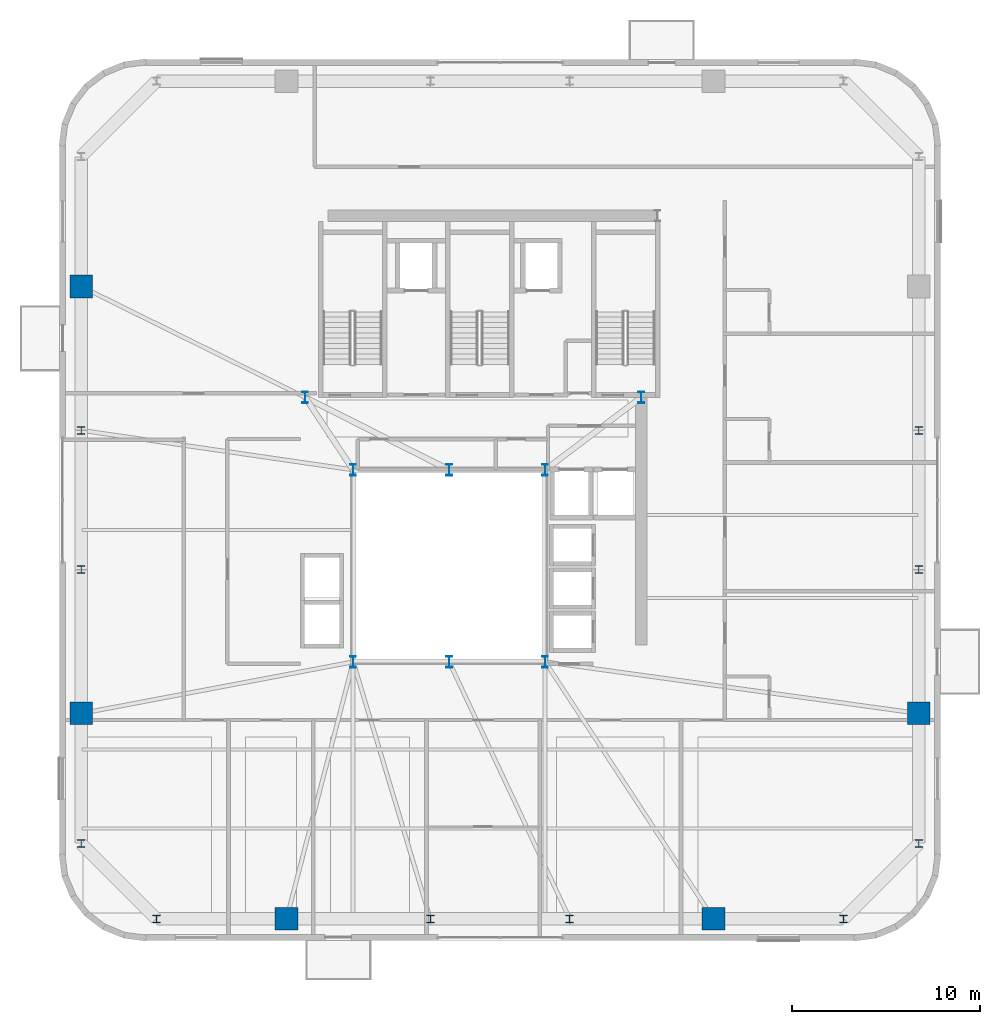
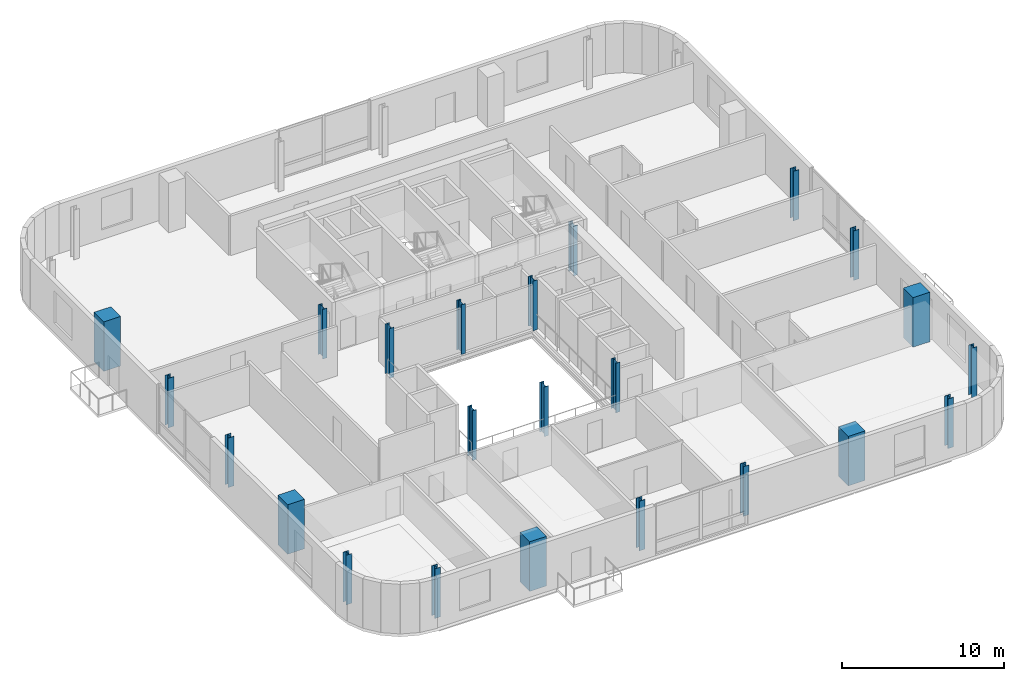
# One storey, part 1 of 15: 23 columns.
"""IFC4 building model written with IfcOpenShell, lengths in metres."""

from ifc_helpers import new_model, si_unit, direction, frame, origin, origin_2d, place, context, subcontext, project, spatial, rectangle, i_section, extrude, source, transform, mapped, material, material_profile, profile_set, type_object, element, save


model = new_model("IFC4")

# Units and contexts
model_context = context("Model", 3, precision=1e-05, world=origin(), true_north=direction((0.0, 1.0)))
body_context = subcontext(model_context, "Body", "Model", "MODEL_VIEW")
ifc_project = project(units=[si_unit("LENGTHUNIT", "METRE"), si_unit("AREAUNIT", "SQUARE_METRE"), si_unit("VOLUMEUNIT", "CUBIC_METRE"), si_unit("PLANEANGLEUNIT", "RADIAN"), si_unit("MASSUNIT", "GRAM", prefix="KILO")], contexts=[model_context])

# Site, building, storey
site_placement = place(None, origin())
site = spatial("IfcSite", under=ifc_project, at=site_placement, CompositionType="ELEMENT")
building_placement = place(site_placement, origin())
building = spatial("IfcBuilding", under=site, at=building_placement, Name="Vardaveli Station Tower", CompositionType="ELEMENT")
storey_placement = place(building_placement, frame((0.0, 0.0, 246.64990234375)))
storey = spatial("IfcBuildingStorey", under=building, at=storey_placement, Name="L63", CompositionType="ELEMENT", Elevation=246.64990234375)

# Columns
ifc_material_1 = material(Name="Structural steel S460M", Category="steel")
ifc_material_profile_1 = material_profile(ifc_material_1, i_section(OverallWidth=0.300048828125, OverallDepth=0.60009765625, WebThickness=0.015380859375, FlangeThickness=0.030029296875, FilletRadius=0.027099609375, at=origin_2d()), Name="HEB 600")
ifc_profile_set_1 = profile_set([ifc_material_profile_1], Name="Structural steel S460M")
column_type_1 = type_object("IfcColumnType", Name="COL-HEB600", PredefinedType="COLUMN", material=ifc_profile_set_1)
shared_shape_1 = source(origin(), body_context, "Body", "SweptSolid", [
    extrude(i_section(OverallWidth=0.300048828125, OverallDepth=0.60009765625, WebThickness=0.015380859375, FlangeThickness=0.030029296875, FilletRadius=0.027099609375, at=origin_2d()), origin(), (0.0, 0.0, 1.0), 3.72998046875),
])
for number, where, z_axis, x_axis, name in (
    (1, (31.199951171875, 16.60009765625, 0.0), (0.0, 0.0, 1.0), (1.0, 0.0, 0.0), "COL-L63-AC1"),
    (2, (36.300048828125, 16.60009765625, 0.0), (0.0, 0.0, 1.0), (1.0, 0.0, 0.0), "COL-L63-AC2"),
    (3, (41.39990234375, 16.60009765625, 0.0), (0.0, 0.0, 1.0), (1.0, 0.0, 0.0), "COL-L63-AC3"),
    (4, (41.39990234375, 26.800048828125, 0.0), (0.0, 0.0, 1.0), (1.0, 0.0, 0.0), "COL-L63-AC4"),
    (5, (36.300048828125, 26.800048828125, 0.0), (0.0, 0.0, 1.0), (1.0, 0.0, 0.0), "COL-L63-AC5"),
    (6, (31.199951171875, 26.800048828125, 0.0), (0.0, 0.0, 1.0), (1.0, 0.0, 0.0), "COL-L63-AC6"),
    (7, (28.64990234375, 30.64990234375, 0.0), (0.0, 0.0, 1.0), (1.0, 0.0, 0.0), "COL-L63-CC1"),
    (8, (46.5, 30.64990234375, 0.0), (0.0, 0.0, 1.0), (1.0, 0.0, 0.0), "COL-L63-CC2"),
):
    element("IfcColumn", number, at=place(storey_placement, frame(where, z_axis=z_axis, x_axis=x_axis)), inside=storey, type_object=column_type_1, Name=name, PredefinedType="COLUMN", context=body_context, shape_type="MappedRepresentation", body=[
        mapped(shared_shape_1, transform((0.0, 0.0, 0.0), scale=1.0)),
    ])
ifc_material_2 = material(Name="Concrete C50/60", Category="concrete")
ifc_material_profile_2 = material_profile(ifc_material_2, rectangle(XDim=1.199951171875, YDim=1.199951171875, at=origin_2d()), Name="MC 1200x1200")
ifc_profile_set_2 = profile_set([ifc_material_profile_2], Name="Concrete C50/60")
column_type_2 = type_object("IfcColumnType", Name="COL-MC-1200", PredefinedType="COLUMN", material=ifc_profile_set_2)
shared_shape_2 = source(origin(), body_context, "Body", "SweptSolid", [
    extrude(rectangle(XDim=1.199951171875, YDim=1.199951171875, at=origin_2d()), origin(), (0.0, 0.0, 1.0), 3.72998046875),
])
for number, where, z_axis, x_axis, name in (
    (9, (27.659912109375, 2.949951171875, 0.0), (0.0, 0.0, 1.0), (1.0, 0.0, 0.0), "COL-L63-MC1"),
    (10, (50.340087890625, 2.949951171875, 0.0), (0.0, 0.0, 1.0), (1.0, 0.0, 0.0), "COL-L63-MC2"),
    (11, (61.25, 13.860107421875, 0.0), (0.0, 0.0, 1.0), (1.0, 0.0, 0.0), "COL-L63-MC3"),
    (12, (16.75, 36.5400390625, 0.0), (0.0, 0.0, 1.0), (1.0, 0.0, 0.0), "COL-L63-MC7"),
    (13, (16.75, 13.860107421875, 0.0), (0.0, 0.0, 1.0), (1.0, 0.0, 0.0), "COL-L63-MC8"),
):
    element("IfcColumn", number, at=place(storey_placement, frame(where, z_axis=z_axis, x_axis=x_axis)), inside=storey, type_object=column_type_2, Name=name, PredefinedType="COLUMN", context=body_context, shape_type="MappedRepresentation", body=[
        mapped(shared_shape_2, transform((0.0, 0.0, 0.0), scale=1.0)),
    ])
ifc_material_profile_3 = material_profile(ifc_material_1, i_section(OverallWidth=0.405029296875, OverallDepth=0.403076171875, WebThickness=0.017822265625, FlangeThickness=0.02783203125, FilletRadius=0.014892578125, at=origin_2d()), Name="HD 400x287")
ifc_profile_set_3 = profile_set([ifc_material_profile_3], Name="Structural steel S460M")
column_type_3 = type_object("IfcColumnType", Name="COL-HD287", PredefinedType="COLUMN", material=ifc_profile_set_3)
shared_shape_3 = source(origin(), body_context, "Body", "SweptSolid", [
    extrude(i_section(OverallWidth=0.405029296875, OverallDepth=0.403076171875, WebThickness=0.017822265625, FlangeThickness=0.02783203125, FilletRadius=0.014892578125, at=origin_2d()), origin(), (0.0, 0.0, 1.0), 3.72998046875),
])
for number, where, z_axis, x_axis, name in (
    (14, (20.75, 2.949951171875, 0.0), (0.0, 0.0, 1.0), (1.0, 0.0, 0.0), "COL-L63-PC01"),
    (15, (35.300048828125, 2.949951171875, 0.0), (0.0, 0.0, 1.0), (1.0, 0.0, 0.0), "COL-L63-PC02"),
    (16, (42.699951171875, 2.949951171875, 0.0), (0.0, 0.0, 1.0), (1.0, 0.0, 0.0), "COL-L63-PC03"),
    (17, (57.25, 2.949951171875, 0.0), (0.0, 0.0, 1.0), (1.0, 0.0, 0.0), "COL-L63-PC04"),
    (18, (61.25, 6.949951171875, 0.0), (0.0, 0.0, 1.0), (1.0, 0.0, 0.0), "COL-L63-PC05"),
    (19, (61.25, 21.5, 0.0), (0.0, 0.0, 1.0), (1.0, 0.0, 0.0), "COL-L63-PC06"),
    (20, (61.25, 28.89990234375, 0.0), (0.0, 0.0, 1.0), (1.0, 0.0, 0.0), "COL-L63-PC07"),
    (21, (16.75, 28.89990234375, 0.0), (0.0, 0.0, 1.0), (1.0, 0.0, 0.0), "COL-L63-PC14"),
    (22, (16.75, 21.5, 0.0), (0.0, 0.0, 1.0), (1.0, 0.0, 0.0), "COL-L63-PC15"),
    (23, (16.75, 6.949951171875, 0.0), (0.0, 0.0, 1.0), (1.0, 0.0, 0.0), "COL-L63-PC16"),
):
    element("IfcColumn", number, at=place(storey_placement, frame(where, z_axis=z_axis, x_axis=x_axis)), inside=storey, type_object=column_type_3, Name=name, PredefinedType="COLUMN", context=body_context, shape_type="MappedRepresentation", body=[
        mapped(shared_shape_3, transform((0.0, 0.0, 0.0), scale=1.0)),
    ])

save(model, "model.ifc")
